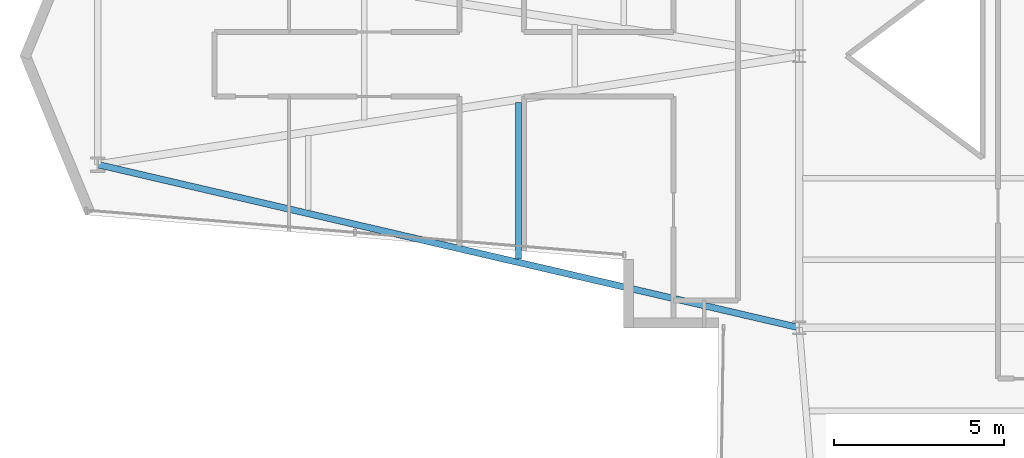
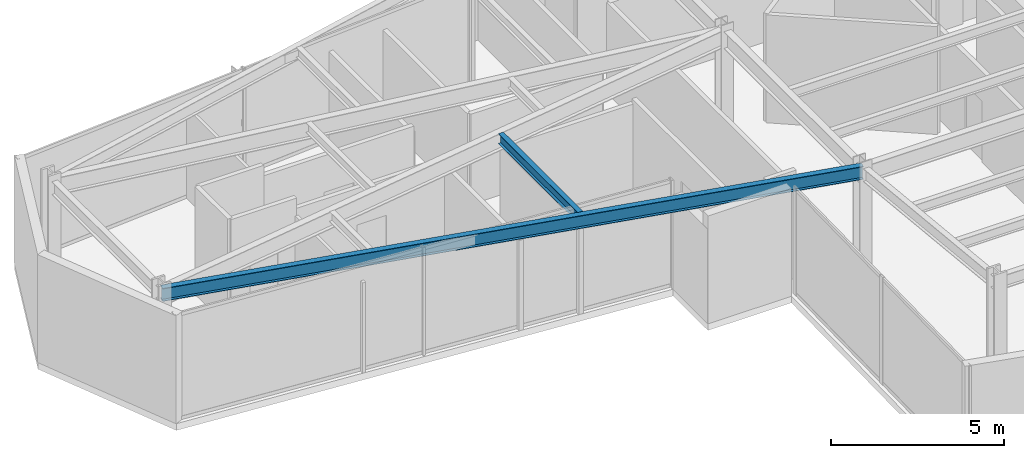
# One storey, part 3 of 25: 2 beams.
"""IFC4 building model written with IfcOpenShell, lengths in metres."""

from ifc_helpers import new_model, si_unit, direction, frame, origin, origin_2d, place, context, subcontext, project, spatial, i_section, extrude, material, material_profile, profile_set, type_object, element, save


model = new_model("IFC4")

# Units and contexts
model_context = context("Model", 3, precision=1e-05, world=origin(), true_north=direction((0.0, 1.0)))
body_context = subcontext(model_context, "Body", "Model", "MODEL_VIEW")
ifc_project = project(units=[si_unit("LENGTHUNIT", "METRE"), si_unit("AREAUNIT", "SQUARE_METRE"), si_unit("VOLUMEUNIT", "CUBIC_METRE"), si_unit("PLANEANGLEUNIT", "RADIAN"), si_unit("MASSUNIT", "GRAM", prefix="KILO")], contexts=[model_context])

# Site, building, storey
site_placement = place(None, origin())
site = spatial("IfcSite", under=ifc_project, at=site_placement, CompositionType="ELEMENT")
building_placement = place(site_placement, origin())
building = spatial("IfcBuilding", under=site, at=building_placement, Name="Veymaron Broadcast Tower", CompositionType="ELEMENT")
storey_placement = place(building_placement, frame((0.0, 0.0, 116.85009765625)))
storey = spatial("IfcBuildingStorey", under=building, at=storey_placement, Name="L26", CompositionType="ELEMENT", Elevation=116.85009765625)

# Beams
ifc_material = material(Name="Structural steel ASTM A992 Gr 50", Category="steel")
ifc_material_profile_1 = material_profile(ifc_material, i_section(OverallWidth=0.1708984375, OverallDepth=0.35498046875, WebThickness=0.007080078125, FlangeThickness=0.01171875, at=origin_2d()), Name="W360X51")
ifc_profile_set_1 = profile_set([ifc_material_profile_1], Name="Structural steel ASTM A992 Gr 50")
beam_type_1 = type_object("IfcBeamType", Name="BM-JS2", PredefinedType="JOIST", material=ifc_profile_set_1)
beam_1_placement = place(storey_placement, frame((22.944091796875, 18.02001953125, 3.63232421875), z_axis=(0.0, 1.0, 0.0), x_axis=(-1.0, 0.0, 0.0)))
element("IfcBeam", 1, at=beam_1_placement, inside=storey, type_object=beam_type_1, Name="L26 Arm-A secondary joist 2S", PredefinedType="JOIST", context=body_context, shape_type="SweptSolid", body=[
    extrude(i_section(OverallWidth=0.1708984375, OverallDepth=0.35498046875, WebThickness=0.007080078125, FlangeThickness=0.01171875, at=origin_2d()), origin(), (0.0, 0.0, 1.0), 4.60009765625),
])
ifc_material_profile_2 = material_profile(ifc_material, i_section(OverallWidth=0.19091796875, OverallDepth=0.4599609375, WebThickness=0.010009765625, FlangeThickness=0.01611328125, at=origin_2d()), Name="W460X82")
ifc_profile_set_2 = profile_set([ifc_material_profile_2], Name="Structural steel ASTM A992 Gr 50")
beam_type_2 = type_object("IfcBeamType", Name="BM-SP1", PredefinedType="SPANDREL", material=ifc_profile_set_2)
beam_2_placement = place(storey_placement, frame((10.56005859375, 20.800048828125, 3.579833984375), z_axis=(0.974007258565, -0.226516799075, 0.0), x_axis=(0.226516799075, 0.974007258565, 0.0)))
element("IfcBeam", 2, at=beam_2_placement, inside=storey, type_object=beam_type_2, Name="L26 primary structural floor girder", PredefinedType="SPANDREL", context=body_context, shape_type="SweptSolid", body=[
    extrude(i_section(OverallWidth=0.19091796875, OverallDepth=0.4599609375, WebThickness=0.010009765625, FlangeThickness=0.01611328125, at=origin_2d()), origin(), (0.0, 0.0, 1.0), 21.190673828125),
])

save(model, "model.ifc")
